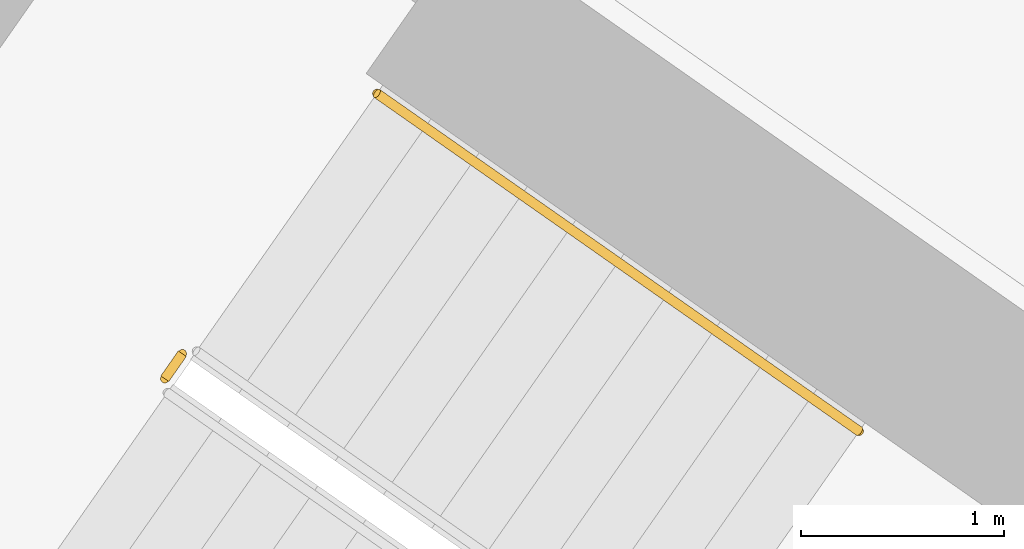
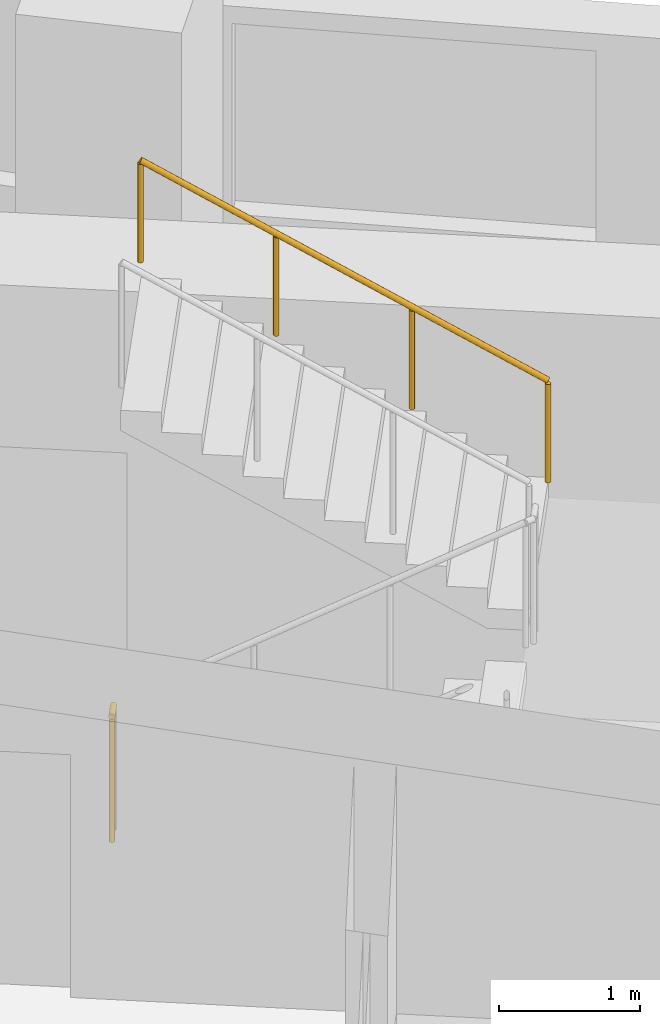
# One storey, part 26 of 30: 2 railings.
"""IFC4 building model written with IfcOpenShell, lengths in metres."""

from ifc_helpers import new_model, si_unit, direction, frame, origin, origin_2d, place, context, subcontext, project, spatial, circle, extrude, material, type_object, element, save


model = new_model("IFC4")

# Units and contexts
model_context = context("Model", 3, precision=1e-05, world=origin(), true_north=direction((0.0, 1.0)))
body_context = subcontext(model_context, "Body", "Model", "MODEL_VIEW")
ifc_project = project(units=[si_unit("LENGTHUNIT", "METRE"), si_unit("AREAUNIT", "SQUARE_METRE"), si_unit("VOLUMEUNIT", "CUBIC_METRE"), si_unit("PLANEANGLEUNIT", "RADIAN"), si_unit("MASSUNIT", "GRAM", prefix="KILO")], contexts=[model_context])

# Site, building, storey
site_placement = place(None, origin())
site = spatial("IfcSite", under=ifc_project, at=site_placement, CompositionType="ELEMENT")
building_placement = place(site_placement, origin())
building = spatial("IfcBuilding", under=site, at=building_placement, Name="Qamariyya Broadcast Tower", CompositionType="ELEMENT")
storey_placement = place(building_placement, frame((0.0, 0.0, 102.5)))
storey = spatial("IfcBuildingStorey", under=building, at=storey_placement, Name="L22", CompositionType="ELEMENT", Elevation=102.5)

# Railings
ifc_material_1 = material(Name="Painted steel", Category="steel")
railing_type_1 = type_object("IfcRailingType", Name="Stair guard", PredefinedType="GUARDRAIL", material=ifc_material_1)
railing_1_placement = place(storey_placement, frame((-41.158935546875, -48.455322265625, 0.0)))
element("IfcRailing", 1, at=railing_1_placement, inside=storey, type_object=railing_type_1, Name="L22 ST-W2 stair guard 3", PredefinedType="GUARDRAIL", context=body_context, shape_type="SweptSolid", body=[
    extrude(circle(Radius=0.02392578125, at=origin_2d()), frame((0.0, 0.0, 1.076171875), z_axis=(0.572588637393, 0.819842821722, 0.0), x_axis=(-0.819842821722, 0.572588637393, 0.0)), (0.0, 0.0, 1.0), 0.150146484375),
    extrude(circle(Radius=0.02099609375, at=origin_2d()), origin(), (0.0, 0.0, 1.0), 1.052001953125),
    extrude(circle(Radius=0.02099609375, at=origin_2d()), frame((0.0859375, 0.123046875, 0.0)), (0.0, 0.0, 1.0), 1.052001953125),
])
ifc_material_2 = material(Name="Stainless steel", Category="steel")
railing_type_2 = type_object("IfcRailingType", Name="Stair handrail", PredefinedType="HANDRAIL", material=ifc_material_2)
railing_2_placement = place(storey_placement, frame((-37.73876953125, -48.7138671875, 2.07275390625)))
element("IfcRailing", 2, at=railing_2_placement, inside=storey, type_object=railing_type_2, Name="L22 ST-W2 stair handrail 2", PredefinedType="HANDRAIL", context=body_context, shape_type="SweptSolid", body=[
    extrude(circle(Radius=0.02392578125, at=origin_2d()), frame((0.0, 0.0, 0.8759765625), z_axis=(-0.703745009021, 0.492838488332, 0.511715923826), x_axis=(-0.573631830683, -0.819113253969, 0.0)), (0.0, 0.0, 1.0), 3.37548828125),
    extrude(circle(Radius=0.02099609375, at=origin_2d()), origin(), (0.0, 0.0, 1.0), 0.851806640625),
    extrude(circle(Radius=0.02099609375, at=origin_2d()), frame((-0.791748046875, 0.554443359375, 0.57568359375)), (0.0, 0.0, 1.0), 0.851806640625),
    extrude(circle(Radius=0.02099609375, at=origin_2d()), frame((-1.583740234375, 1.109130859375, 1.151611328125)), (0.0, 0.0, 1.0), 0.851806640625),
    extrude(circle(Radius=0.02099609375, at=origin_2d()), frame((-2.37548828125, 1.66357421875, 1.727294921875)), (0.0, 0.0, 1.0), 0.851806640625),
])

save(model, "model.ifc")
